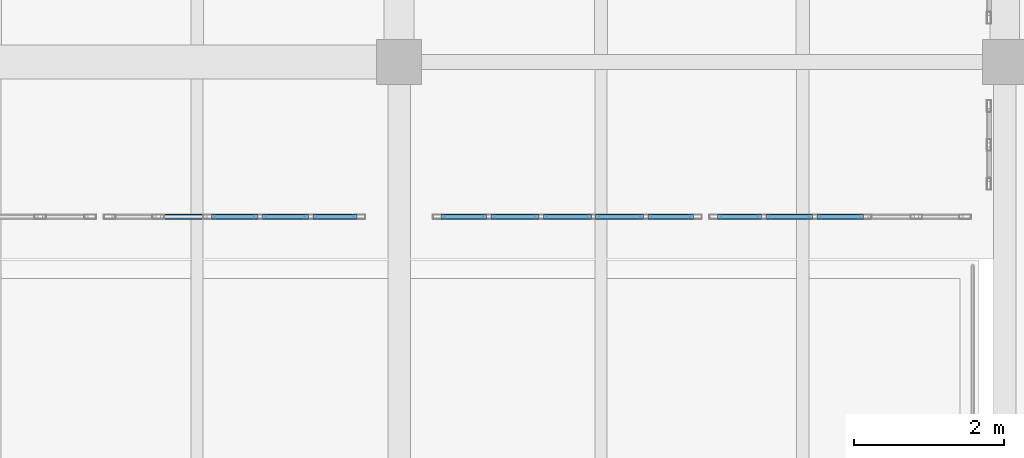
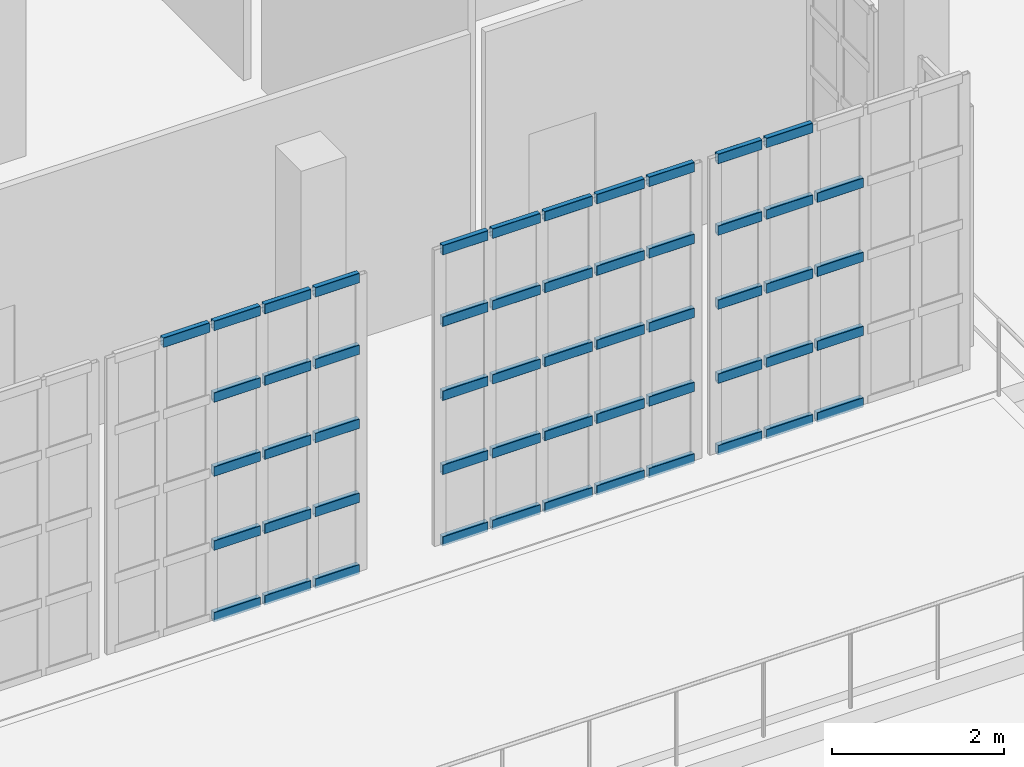
# One storey, part 41 of 73: 55 members, 3 elements without a shape of their own.
"""IFC4 building model written with IfcOpenShell, lengths in metres."""

from ifc_helpers import new_model, si_unit, direction, frame, origin, origin_2d, place, context, subcontext, project, spatial, hollow_rectangle, extrude, material, material_profile, profile_set, type_object, element, aggregate, save


model = new_model("IFC4")

# Units and contexts
model_context = context("Model", 3, precision=1e-05, world=origin(), true_north=direction((0.0, 1.0)))
body_context = subcontext(model_context, "Body", "Model", "MODEL_VIEW")
ifc_project = project(units=[si_unit("LENGTHUNIT", "METRE"), si_unit("AREAUNIT", "SQUARE_METRE"), si_unit("VOLUMEUNIT", "CUBIC_METRE"), si_unit("PLANEANGLEUNIT", "RADIAN"), si_unit("MASSUNIT", "GRAM", prefix="KILO")], contexts=[model_context])

# Site, building, storey
site_placement = place(None, origin())
site = spatial("IfcSite", under=ifc_project, at=site_placement, CompositionType="ELEMENT")
building_placement = place(site_placement, origin())
building = spatial("IfcBuilding", under=site, at=building_placement, Name="Kaelora Sail Theatre", CompositionType="ELEMENT")
storey_placement = place(building_placement, frame((0.0, 0.0, 10.199951171875)))
storey = spatial("IfcBuildingStorey", under=building, at=storey_placement, Name="L02", CompositionType="ELEMENT", Elevation=10.199951171875)

# Curtain wall, members
ifc_material_1 = material(Name="Anodised aluminium and solar-control low-E IGU", Category="aluminium")
curtain_wall_type = type_object("IfcCurtainWallType", Name="ARC-CW-CW-BRG", PredefinedType="NOTDEFINED", material=ifc_material_1)
curtain_wall_1_placement = place(storey_placement, origin())
curtain_wall_1 = element("IfcCurtainWall", 1, at=curtain_wall_1_placement, inside=storey, type_object=curtain_wall_type, Name="Glazed Foyer/Conservatory Curtain Wall FC2-S-L02-05", PredefinedType="NOTDEFINED")
ifc_material_2 = material(Name="Anodised aluminium 6063-T6", Category="aluminium")
ifc_material_profile = material_profile(ifc_material_2, hollow_rectangle(XDim=0.070068359375, YDim=0.139892578125, WallThickness=0.00390625, InnerFilletRadius=0.00390625, OuterFilletRadius=0.008056640625, at=origin_2d()), Name="ALU-TRAN 70x140x4")
ifc_profile_set = profile_set([ifc_material_profile], Name="Anodised aluminium 6063-T6")
member_type = type_object("IfcMemberType", Name="ARC-MEM-TR-140", PredefinedType="USERDEFINED", material=ifc_profile_set)
member_1_placement = place(storey_placement, frame((111.7099609375, 66.389892578125, 4.170166015625), z_axis=(1.0, 0.0, 0.0), x_axis=(0.0, 1.0, 0.0)))
member_1 = element("IfcMember", 2, at=member_1_placement, type_object=member_type, Name="CW-BRG transom 2.5", ObjectType="TRANSOM", PredefinedType="USERDEFINED", context=body_context, shape_type="SweptSolid", body=[
    extrude(hollow_rectangle(XDim=0.070068359375, YDim=0.139892578125, WallThickness=0.00390625, InnerFilletRadius=0.00390625, OuterFilletRadius=0.008056640625, at=origin_2d()), origin(), (0.0, 0.0, 1.0), 0.6201171875),
])
member_2_placement = place(storey_placement, frame((112.389892578125, 66.389892578125, 0.03515625), z_axis=(1.0, 0.0, 0.0), x_axis=(0.0, 1.0, 0.0)))
member_2 = element("IfcMember", 3, at=member_2_placement, type_object=member_type, Name="CW-BRG transom 3.1", ObjectType="TRANSOM", PredefinedType="USERDEFINED", context=body_context, shape_type="SweptSolid", body=[
    extrude(hollow_rectangle(XDim=0.070068359375, YDim=0.139892578125, WallThickness=0.00390625, InnerFilletRadius=0.00390625, OuterFilletRadius=0.008056640625, at=origin_2d()), origin(), (0.0, 0.0, 1.0), 0.6201171875),
])
member_3_placement = place(storey_placement, frame((112.389892578125, 66.389892578125, 1.05126953125), z_axis=(1.0, 0.0, 0.0), x_axis=(0.0, 1.0, 0.0)))
member_3 = element("IfcMember", 4, at=member_3_placement, type_object=member_type, Name="CW-BRG transom 3.2", ObjectType="TRANSOM", PredefinedType="USERDEFINED", context=body_context, shape_type="SweptSolid", body=[
    extrude(hollow_rectangle(XDim=0.070068359375, YDim=0.139892578125, WallThickness=0.00390625, InnerFilletRadius=0.00390625, OuterFilletRadius=0.008056640625, at=origin_2d()), origin(), (0.0, 0.0, 1.0), 0.6201171875),
])
member_4_placement = place(storey_placement, frame((112.389892578125, 66.389892578125, 2.1025390625), z_axis=(1.0, 0.0, 0.0), x_axis=(0.0, 1.0, 0.0)))
member_4 = element("IfcMember", 5, at=member_4_placement, type_object=member_type, Name="CW-BRG transom 3.3", ObjectType="TRANSOM", PredefinedType="USERDEFINED", context=body_context, shape_type="SweptSolid", body=[
    extrude(hollow_rectangle(XDim=0.070068359375, YDim=0.139892578125, WallThickness=0.00390625, InnerFilletRadius=0.00390625, OuterFilletRadius=0.008056640625, at=origin_2d()), origin(), (0.0, 0.0, 1.0), 0.6201171875),
])
member_5_placement = place(storey_placement, frame((112.389892578125, 66.389892578125, 3.15380859375), z_axis=(1.0, 0.0, 0.0), x_axis=(0.0, 1.0, 0.0)))
member_5 = element("IfcMember", 6, at=member_5_placement, type_object=member_type, Name="CW-BRG transom 3.4", ObjectType="TRANSOM", PredefinedType="USERDEFINED", context=body_context, shape_type="SweptSolid", body=[
    extrude(hollow_rectangle(XDim=0.070068359375, YDim=0.139892578125, WallThickness=0.00390625, InnerFilletRadius=0.00390625, OuterFilletRadius=0.008056640625, at=origin_2d()), origin(), (0.0, 0.0, 1.0), 0.6201171875),
])
member_6_placement = place(storey_placement, frame((112.389892578125, 66.389892578125, 4.170166015625), z_axis=(1.0, 0.0, 0.0), x_axis=(0.0, 1.0, 0.0)))
member_6 = element("IfcMember", 7, at=member_6_placement, type_object=member_type, Name="CW-BRG transom 3.5", ObjectType="TRANSOM", PredefinedType="USERDEFINED", context=body_context, shape_type="SweptSolid", body=[
    extrude(hollow_rectangle(XDim=0.070068359375, YDim=0.139892578125, WallThickness=0.00390625, InnerFilletRadius=0.00390625, OuterFilletRadius=0.008056640625, at=origin_2d()), origin(), (0.0, 0.0, 1.0), 0.6201171875),
])
member_7_placement = place(storey_placement, frame((113.070068359375, 66.389892578125, 0.03515625), z_axis=(1.0, 0.0, 0.0), x_axis=(0.0, 1.0, 0.0)))
member_7 = element("IfcMember", 8, at=member_7_placement, type_object=member_type, Name="CW-BRG transom 4.1", ObjectType="TRANSOM", PredefinedType="USERDEFINED", context=body_context, shape_type="SweptSolid", body=[
    extrude(hollow_rectangle(XDim=0.070068359375, YDim=0.139892578125, WallThickness=0.00390625, InnerFilletRadius=0.00390625, OuterFilletRadius=0.008056640625, at=origin_2d()), origin(), (0.0, 0.0, 1.0), 0.619873046875),
])
member_8_placement = place(storey_placement, frame((113.070068359375, 66.389892578125, 1.05126953125), z_axis=(1.0, 0.0, 0.0), x_axis=(0.0, 1.0, 0.0)))
member_8 = element("IfcMember", 9, at=member_8_placement, type_object=member_type, Name="CW-BRG transom 4.2", ObjectType="TRANSOM", PredefinedType="USERDEFINED", context=body_context, shape_type="SweptSolid", body=[
    extrude(hollow_rectangle(XDim=0.070068359375, YDim=0.139892578125, WallThickness=0.00390625, InnerFilletRadius=0.00390625, OuterFilletRadius=0.008056640625, at=origin_2d()), origin(), (0.0, 0.0, 1.0), 0.619873046875),
])
member_9_placement = place(storey_placement, frame((113.070068359375, 66.389892578125, 2.1025390625), z_axis=(1.0, 0.0, 0.0), x_axis=(0.0, 1.0, 0.0)))
member_9 = element("IfcMember", 10, at=member_9_placement, type_object=member_type, Name="CW-BRG transom 4.3", ObjectType="TRANSOM", PredefinedType="USERDEFINED", context=body_context, shape_type="SweptSolid", body=[
    extrude(hollow_rectangle(XDim=0.070068359375, YDim=0.139892578125, WallThickness=0.00390625, InnerFilletRadius=0.00390625, OuterFilletRadius=0.008056640625, at=origin_2d()), origin(), (0.0, 0.0, 1.0), 0.619873046875),
])
member_10_placement = place(storey_placement, frame((113.070068359375, 66.389892578125, 3.15380859375), z_axis=(1.0, 0.0, 0.0), x_axis=(0.0, 1.0, 0.0)))
member_10 = element("IfcMember", 11, at=member_10_placement, type_object=member_type, Name="CW-BRG transom 4.4", ObjectType="TRANSOM", PredefinedType="USERDEFINED", context=body_context, shape_type="SweptSolid", body=[
    extrude(hollow_rectangle(XDim=0.070068359375, YDim=0.139892578125, WallThickness=0.00390625, InnerFilletRadius=0.00390625, OuterFilletRadius=0.008056640625, at=origin_2d()), origin(), (0.0, 0.0, 1.0), 0.619873046875),
])
member_11_placement = place(storey_placement, frame((113.070068359375, 66.389892578125, 4.170166015625), z_axis=(1.0, 0.0, 0.0), x_axis=(0.0, 1.0, 0.0)))
member_11 = element("IfcMember", 12, at=member_11_placement, type_object=member_type, Name="CW-BRG transom 4.5", ObjectType="TRANSOM", PredefinedType="USERDEFINED", context=body_context, shape_type="SweptSolid", body=[
    extrude(hollow_rectangle(XDim=0.070068359375, YDim=0.139892578125, WallThickness=0.00390625, InnerFilletRadius=0.00390625, OuterFilletRadius=0.008056640625, at=origin_2d()), origin(), (0.0, 0.0, 1.0), 0.619873046875),
])
member_12_placement = place(storey_placement, frame((113.75, 66.389892578125, 0.03515625), z_axis=(1.0, 0.0, 0.0), x_axis=(0.0, 1.0, 0.0)))
member_12 = element("IfcMember", 13, at=member_12_placement, type_object=member_type, Name="CW-BRG transom 5.1", ObjectType="TRANSOM", PredefinedType="USERDEFINED", context=body_context, shape_type="SweptSolid", body=[
    extrude(hollow_rectangle(XDim=0.070068359375, YDim=0.139892578125, WallThickness=0.00390625, InnerFilletRadius=0.00390625, OuterFilletRadius=0.008056640625, at=origin_2d()), origin(), (0.0, 0.0, 1.0), 0.590087890625),
])
member_13_placement = place(storey_placement, frame((113.75, 66.389892578125, 1.05126953125), z_axis=(1.0, 0.0, 0.0), x_axis=(0.0, 1.0, 0.0)))
member_13 = element("IfcMember", 14, at=member_13_placement, type_object=member_type, Name="CW-BRG transom 5.2", ObjectType="TRANSOM", PredefinedType="USERDEFINED", context=body_context, shape_type="SweptSolid", body=[
    extrude(hollow_rectangle(XDim=0.070068359375, YDim=0.139892578125, WallThickness=0.00390625, InnerFilletRadius=0.00390625, OuterFilletRadius=0.008056640625, at=origin_2d()), origin(), (0.0, 0.0, 1.0), 0.590087890625),
])
member_14_placement = place(storey_placement, frame((113.75, 66.389892578125, 2.1025390625), z_axis=(1.0, 0.0, 0.0), x_axis=(0.0, 1.0, 0.0)))
member_14 = element("IfcMember", 15, at=member_14_placement, type_object=member_type, Name="CW-BRG transom 5.3", ObjectType="TRANSOM", PredefinedType="USERDEFINED", context=body_context, shape_type="SweptSolid", body=[
    extrude(hollow_rectangle(XDim=0.070068359375, YDim=0.139892578125, WallThickness=0.00390625, InnerFilletRadius=0.00390625, OuterFilletRadius=0.008056640625, at=origin_2d()), origin(), (0.0, 0.0, 1.0), 0.590087890625),
])
member_15_placement = place(storey_placement, frame((113.75, 66.389892578125, 3.15380859375), z_axis=(1.0, 0.0, 0.0), x_axis=(0.0, 1.0, 0.0)))
member_15 = element("IfcMember", 16, at=member_15_placement, type_object=member_type, Name="CW-BRG transom 5.4", ObjectType="TRANSOM", PredefinedType="USERDEFINED", context=body_context, shape_type="SweptSolid", body=[
    extrude(hollow_rectangle(XDim=0.070068359375, YDim=0.139892578125, WallThickness=0.00390625, InnerFilletRadius=0.00390625, OuterFilletRadius=0.008056640625, at=origin_2d()), origin(), (0.0, 0.0, 1.0), 0.590087890625),
])
member_16_placement = place(storey_placement, frame((113.75, 66.389892578125, 4.170166015625), z_axis=(1.0, 0.0, 0.0), x_axis=(0.0, 1.0, 0.0)))
member_16 = element("IfcMember", 17, at=member_16_placement, type_object=member_type, Name="CW-BRG transom 5.5", ObjectType="TRANSOM", PredefinedType="USERDEFINED", context=body_context, shape_type="SweptSolid", body=[
    extrude(hollow_rectangle(XDim=0.070068359375, YDim=0.139892578125, WallThickness=0.00390625, InnerFilletRadius=0.00390625, OuterFilletRadius=0.008056640625, at=origin_2d()), origin(), (0.0, 0.0, 1.0), 0.590087890625),
])
aggregate(curtain_wall_1, [member_1, member_2, member_3, member_4, member_5, member_6, member_7, member_8, member_9, member_10, member_11, member_12, member_13, member_14, member_15, member_16])

curtain_wall_2_placement = place(storey_placement, origin())
curtain_wall_2 = element("IfcCurtainWall", 18, at=curtain_wall_2_placement, inside=storey, type_object=curtain_wall_type, Name="Glazed Foyer/Conservatory Curtain Wall FC2-S-L02-06", PredefinedType="NOTDEFINED")
member_17_placement = place(storey_placement, frame((115.4599609375, 66.389892578125, 0.03515625), z_axis=(1.0, 0.0, 0.0), x_axis=(0.0, 1.0, 0.0)))
member_17 = element("IfcMember", 19, at=member_17_placement, type_object=member_type, Name="CW-BRG transom 1.1", ObjectType="TRANSOM", PredefinedType="USERDEFINED", context=body_context, shape_type="SweptSolid", body=[
    extrude(hollow_rectangle(XDim=0.070068359375, YDim=0.139892578125, WallThickness=0.00390625, InnerFilletRadius=0.00390625, OuterFilletRadius=0.008056640625, at=origin_2d()), origin(), (0.0, 0.0, 1.0), 0.610107421875),
])
member_18_placement = place(storey_placement, frame((115.4599609375, 66.389892578125, 1.05126953125), z_axis=(1.0, 0.0, 0.0), x_axis=(0.0, 1.0, 0.0)))
member_18 = element("IfcMember", 20, at=member_18_placement, type_object=member_type, Name="CW-BRG transom 1.2", ObjectType="TRANSOM", PredefinedType="USERDEFINED", context=body_context, shape_type="SweptSolid", body=[
    extrude(hollow_rectangle(XDim=0.070068359375, YDim=0.139892578125, WallThickness=0.00390625, InnerFilletRadius=0.00390625, OuterFilletRadius=0.008056640625, at=origin_2d()), origin(), (0.0, 0.0, 1.0), 0.610107421875),
])
member_19_placement = place(storey_placement, frame((115.4599609375, 66.389892578125, 2.1025390625), z_axis=(1.0, 0.0, 0.0), x_axis=(0.0, 1.0, 0.0)))
member_19 = element("IfcMember", 21, at=member_19_placement, type_object=member_type, Name="CW-BRG transom 1.3", ObjectType="TRANSOM", PredefinedType="USERDEFINED", context=body_context, shape_type="SweptSolid", body=[
    extrude(hollow_rectangle(XDim=0.070068359375, YDim=0.139892578125, WallThickness=0.00390625, InnerFilletRadius=0.00390625, OuterFilletRadius=0.008056640625, at=origin_2d()), origin(), (0.0, 0.0, 1.0), 0.610107421875),
])
member_20_placement = place(storey_placement, frame((115.4599609375, 66.389892578125, 3.15380859375), z_axis=(1.0, 0.0, 0.0), x_axis=(0.0, 1.0, 0.0)))
member_20 = element("IfcMember", 22, at=member_20_placement, type_object=member_type, Name="CW-BRG transom 1.4", ObjectType="TRANSOM", PredefinedType="USERDEFINED", context=body_context, shape_type="SweptSolid", body=[
    extrude(hollow_rectangle(XDim=0.070068359375, YDim=0.139892578125, WallThickness=0.00390625, InnerFilletRadius=0.00390625, OuterFilletRadius=0.008056640625, at=origin_2d()), origin(), (0.0, 0.0, 1.0), 0.610107421875),
])
member_21_placement = place(storey_placement, frame((115.4599609375, 66.389892578125, 4.170166015625), z_axis=(1.0, 0.0, 0.0), x_axis=(0.0, 1.0, 0.0)))
member_21 = element("IfcMember", 23, at=member_21_placement, type_object=member_type, Name="CW-BRG transom 1.5", ObjectType="TRANSOM", PredefinedType="USERDEFINED", context=body_context, shape_type="SweptSolid", body=[
    extrude(hollow_rectangle(XDim=0.070068359375, YDim=0.139892578125, WallThickness=0.00390625, InnerFilletRadius=0.00390625, OuterFilletRadius=0.008056640625, at=origin_2d()), origin(), (0.0, 0.0, 1.0), 0.610107421875),
])
member_22_placement = place(storey_placement, frame((116.1298828125, 66.389892578125, 0.03515625), z_axis=(1.0, 0.0, 0.0), x_axis=(0.0, 1.0, 0.0)))
member_22 = element("IfcMember", 24, at=member_22_placement, type_object=member_type, Name="CW-BRG transom 2.1", ObjectType="TRANSOM", PredefinedType="USERDEFINED", context=body_context, shape_type="SweptSolid", body=[
    extrude(hollow_rectangle(XDim=0.070068359375, YDim=0.139892578125, WallThickness=0.00390625, InnerFilletRadius=0.00390625, OuterFilletRadius=0.008056640625, at=origin_2d()), origin(), (0.0, 0.0, 1.0), 0.64013671875),
])
member_23_placement = place(storey_placement, frame((116.1298828125, 66.389892578125, 1.05126953125), z_axis=(1.0, 0.0, 0.0), x_axis=(0.0, 1.0, 0.0)))
member_23 = element("IfcMember", 25, at=member_23_placement, type_object=member_type, Name="CW-BRG transom 2.2", ObjectType="TRANSOM", PredefinedType="USERDEFINED", context=body_context, shape_type="SweptSolid", body=[
    extrude(hollow_rectangle(XDim=0.070068359375, YDim=0.139892578125, WallThickness=0.00390625, InnerFilletRadius=0.00390625, OuterFilletRadius=0.008056640625, at=origin_2d()), origin(), (0.0, 0.0, 1.0), 0.64013671875),
])
member_24_placement = place(storey_placement, frame((116.1298828125, 66.389892578125, 2.1025390625), z_axis=(1.0, 0.0, 0.0), x_axis=(0.0, 1.0, 0.0)))
member_24 = element("IfcMember", 26, at=member_24_placement, type_object=member_type, Name="CW-BRG transom 2.3", ObjectType="TRANSOM", PredefinedType="USERDEFINED", context=body_context, shape_type="SweptSolid", body=[
    extrude(hollow_rectangle(XDim=0.070068359375, YDim=0.139892578125, WallThickness=0.00390625, InnerFilletRadius=0.00390625, OuterFilletRadius=0.008056640625, at=origin_2d()), origin(), (0.0, 0.0, 1.0), 0.64013671875),
])
member_25_placement = place(storey_placement, frame((116.1298828125, 66.389892578125, 3.15380859375), z_axis=(1.0, 0.0, 0.0), x_axis=(0.0, 1.0, 0.0)))
member_25 = element("IfcMember", 27, at=member_25_placement, type_object=member_type, Name="CW-BRG transom 2.4", ObjectType="TRANSOM", PredefinedType="USERDEFINED", context=body_context, shape_type="SweptSolid", body=[
    extrude(hollow_rectangle(XDim=0.070068359375, YDim=0.139892578125, WallThickness=0.00390625, InnerFilletRadius=0.00390625, OuterFilletRadius=0.008056640625, at=origin_2d()), origin(), (0.0, 0.0, 1.0), 0.64013671875),
])
member_26_placement = place(storey_placement, frame((116.1298828125, 66.389892578125, 4.170166015625), z_axis=(1.0, 0.0, 0.0), x_axis=(0.0, 1.0, 0.0)))
member_26 = element("IfcMember", 28, at=member_26_placement, type_object=member_type, Name="CW-BRG transom 2.5", ObjectType="TRANSOM", PredefinedType="USERDEFINED", context=body_context, shape_type="SweptSolid", body=[
    extrude(hollow_rectangle(XDim=0.070068359375, YDim=0.139892578125, WallThickness=0.00390625, InnerFilletRadius=0.00390625, OuterFilletRadius=0.008056640625, at=origin_2d()), origin(), (0.0, 0.0, 1.0), 0.64013671875),
])
member_27_placement = place(storey_placement, frame((116.830078125, 66.389892578125, 0.03515625), z_axis=(1.0, 0.0, 0.0), x_axis=(0.0, 1.0, 0.0)))
member_27 = element("IfcMember", 29, at=member_27_placement, type_object=member_type, Name="CW-BRG transom 3.1", ObjectType="TRANSOM", PredefinedType="USERDEFINED", context=body_context, shape_type="SweptSolid", body=[
    extrude(hollow_rectangle(XDim=0.070068359375, YDim=0.139892578125, WallThickness=0.00390625, InnerFilletRadius=0.00390625, OuterFilletRadius=0.008056640625, at=origin_2d()), origin(), (0.0, 0.0, 1.0), 0.639892578125),
])
member_28_placement = place(storey_placement, frame((116.830078125, 66.389892578125, 1.05126953125), z_axis=(1.0, 0.0, 0.0), x_axis=(0.0, 1.0, 0.0)))
member_28 = element("IfcMember", 30, at=member_28_placement, type_object=member_type, Name="CW-BRG transom 3.2", ObjectType="TRANSOM", PredefinedType="USERDEFINED", context=body_context, shape_type="SweptSolid", body=[
    extrude(hollow_rectangle(XDim=0.070068359375, YDim=0.139892578125, WallThickness=0.00390625, InnerFilletRadius=0.00390625, OuterFilletRadius=0.008056640625, at=origin_2d()), origin(), (0.0, 0.0, 1.0), 0.639892578125),
])
member_29_placement = place(storey_placement, frame((116.830078125, 66.389892578125, 2.1025390625), z_axis=(1.0, 0.0, 0.0), x_axis=(0.0, 1.0, 0.0)))
member_29 = element("IfcMember", 31, at=member_29_placement, type_object=member_type, Name="CW-BRG transom 3.3", ObjectType="TRANSOM", PredefinedType="USERDEFINED", context=body_context, shape_type="SweptSolid", body=[
    extrude(hollow_rectangle(XDim=0.070068359375, YDim=0.139892578125, WallThickness=0.00390625, InnerFilletRadius=0.00390625, OuterFilletRadius=0.008056640625, at=origin_2d()), origin(), (0.0, 0.0, 1.0), 0.639892578125),
])
member_30_placement = place(storey_placement, frame((116.830078125, 66.389892578125, 3.15380859375), z_axis=(1.0, 0.0, 0.0), x_axis=(0.0, 1.0, 0.0)))
member_30 = element("IfcMember", 32, at=member_30_placement, type_object=member_type, Name="CW-BRG transom 3.4", ObjectType="TRANSOM", PredefinedType="USERDEFINED", context=body_context, shape_type="SweptSolid", body=[
    extrude(hollow_rectangle(XDim=0.070068359375, YDim=0.139892578125, WallThickness=0.00390625, InnerFilletRadius=0.00390625, OuterFilletRadius=0.008056640625, at=origin_2d()), origin(), (0.0, 0.0, 1.0), 0.639892578125),
])
member_31_placement = place(storey_placement, frame((116.830078125, 66.389892578125, 4.170166015625), z_axis=(1.0, 0.0, 0.0), x_axis=(0.0, 1.0, 0.0)))
member_31 = element("IfcMember", 33, at=member_31_placement, type_object=member_type, Name="CW-BRG transom 3.5", ObjectType="TRANSOM", PredefinedType="USERDEFINED", context=body_context, shape_type="SweptSolid", body=[
    extrude(hollow_rectangle(XDim=0.070068359375, YDim=0.139892578125, WallThickness=0.00390625, InnerFilletRadius=0.00390625, OuterFilletRadius=0.008056640625, at=origin_2d()), origin(), (0.0, 0.0, 1.0), 0.639892578125),
])
member_32_placement = place(storey_placement, frame((117.530029296875, 66.389892578125, 0.03515625), z_axis=(1.0, 0.0, 0.0), x_axis=(0.0, 1.0, 0.0)))
member_32 = element("IfcMember", 34, at=member_32_placement, type_object=member_type, Name="CW-BRG transom 4.1", ObjectType="TRANSOM", PredefinedType="USERDEFINED", context=body_context, shape_type="SweptSolid", body=[
    extrude(hollow_rectangle(XDim=0.070068359375, YDim=0.139892578125, WallThickness=0.00390625, InnerFilletRadius=0.00390625, OuterFilletRadius=0.008056640625, at=origin_2d()), origin(), (0.0, 0.0, 1.0), 0.639892578125),
])
member_33_placement = place(storey_placement, frame((117.530029296875, 66.389892578125, 1.05126953125), z_axis=(1.0, 0.0, 0.0), x_axis=(0.0, 1.0, 0.0)))
member_33 = element("IfcMember", 35, at=member_33_placement, type_object=member_type, Name="CW-BRG transom 4.2", ObjectType="TRANSOM", PredefinedType="USERDEFINED", context=body_context, shape_type="SweptSolid", body=[
    extrude(hollow_rectangle(XDim=0.070068359375, YDim=0.139892578125, WallThickness=0.00390625, InnerFilletRadius=0.00390625, OuterFilletRadius=0.008056640625, at=origin_2d()), origin(), (0.0, 0.0, 1.0), 0.639892578125),
])
member_34_placement = place(storey_placement, frame((117.530029296875, 66.389892578125, 2.1025390625), z_axis=(1.0, 0.0, 0.0), x_axis=(0.0, 1.0, 0.0)))
member_34 = element("IfcMember", 36, at=member_34_placement, type_object=member_type, Name="CW-BRG transom 4.3", ObjectType="TRANSOM", PredefinedType="USERDEFINED", context=body_context, shape_type="SweptSolid", body=[
    extrude(hollow_rectangle(XDim=0.070068359375, YDim=0.139892578125, WallThickness=0.00390625, InnerFilletRadius=0.00390625, OuterFilletRadius=0.008056640625, at=origin_2d()), origin(), (0.0, 0.0, 1.0), 0.639892578125),
])
member_35_placement = place(storey_placement, frame((117.530029296875, 66.389892578125, 3.15380859375), z_axis=(1.0, 0.0, 0.0), x_axis=(0.0, 1.0, 0.0)))
member_35 = element("IfcMember", 37, at=member_35_placement, type_object=member_type, Name="CW-BRG transom 4.4", ObjectType="TRANSOM", PredefinedType="USERDEFINED", context=body_context, shape_type="SweptSolid", body=[
    extrude(hollow_rectangle(XDim=0.070068359375, YDim=0.139892578125, WallThickness=0.00390625, InnerFilletRadius=0.00390625, OuterFilletRadius=0.008056640625, at=origin_2d()), origin(), (0.0, 0.0, 1.0), 0.639892578125),
])
member_36_placement = place(storey_placement, frame((117.530029296875, 66.389892578125, 4.170166015625), z_axis=(1.0, 0.0, 0.0), x_axis=(0.0, 1.0, 0.0)))
member_36 = element("IfcMember", 38, at=member_36_placement, type_object=member_type, Name="CW-BRG transom 4.5", ObjectType="TRANSOM", PredefinedType="USERDEFINED", context=body_context, shape_type="SweptSolid", body=[
    extrude(hollow_rectangle(XDim=0.070068359375, YDim=0.139892578125, WallThickness=0.00390625, InnerFilletRadius=0.00390625, OuterFilletRadius=0.008056640625, at=origin_2d()), origin(), (0.0, 0.0, 1.0), 0.639892578125),
])
member_37_placement = place(storey_placement, frame((118.22998046875, 66.389892578125, 0.03515625), z_axis=(1.0, 0.0, 0.0), x_axis=(0.0, 1.0, 0.0)))
member_37 = element("IfcMember", 39, at=member_37_placement, type_object=member_type, Name="CW-BRG transom 5.1", ObjectType="TRANSOM", PredefinedType="USERDEFINED", context=body_context, shape_type="SweptSolid", body=[
    extrude(hollow_rectangle(XDim=0.070068359375, YDim=0.139892578125, WallThickness=0.00390625, InnerFilletRadius=0.00390625, OuterFilletRadius=0.008056640625, at=origin_2d()), origin(), (0.0, 0.0, 1.0), 0.610107421875),
])
member_38_placement = place(storey_placement, frame((118.22998046875, 66.389892578125, 1.05126953125), z_axis=(1.0, 0.0, 0.0), x_axis=(0.0, 1.0, 0.0)))
member_38 = element("IfcMember", 40, at=member_38_placement, type_object=member_type, Name="CW-BRG transom 5.2", ObjectType="TRANSOM", PredefinedType="USERDEFINED", context=body_context, shape_type="SweptSolid", body=[
    extrude(hollow_rectangle(XDim=0.070068359375, YDim=0.139892578125, WallThickness=0.00390625, InnerFilletRadius=0.00390625, OuterFilletRadius=0.008056640625, at=origin_2d()), origin(), (0.0, 0.0, 1.0), 0.610107421875),
])
member_39_placement = place(storey_placement, frame((118.22998046875, 66.389892578125, 2.1025390625), z_axis=(1.0, 0.0, 0.0), x_axis=(0.0, 1.0, 0.0)))
member_39 = element("IfcMember", 41, at=member_39_placement, type_object=member_type, Name="CW-BRG transom 5.3", ObjectType="TRANSOM", PredefinedType="USERDEFINED", context=body_context, shape_type="SweptSolid", body=[
    extrude(hollow_rectangle(XDim=0.070068359375, YDim=0.139892578125, WallThickness=0.00390625, InnerFilletRadius=0.00390625, OuterFilletRadius=0.008056640625, at=origin_2d()), origin(), (0.0, 0.0, 1.0), 0.610107421875),
])
member_40_placement = place(storey_placement, frame((118.22998046875, 66.389892578125, 3.15380859375), z_axis=(1.0, 0.0, 0.0), x_axis=(0.0, 1.0, 0.0)))
member_40 = element("IfcMember", 42, at=member_40_placement, type_object=member_type, Name="CW-BRG transom 5.4", ObjectType="TRANSOM", PredefinedType="USERDEFINED", context=body_context, shape_type="SweptSolid", body=[
    extrude(hollow_rectangle(XDim=0.070068359375, YDim=0.139892578125, WallThickness=0.00390625, InnerFilletRadius=0.00390625, OuterFilletRadius=0.008056640625, at=origin_2d()), origin(), (0.0, 0.0, 1.0), 0.610107421875),
])
member_41_placement = place(storey_placement, frame((118.22998046875, 66.389892578125, 4.170166015625), z_axis=(1.0, 0.0, 0.0), x_axis=(0.0, 1.0, 0.0)))
member_41 = element("IfcMember", 43, at=member_41_placement, type_object=member_type, Name="CW-BRG transom 5.5", ObjectType="TRANSOM", PredefinedType="USERDEFINED", context=body_context, shape_type="SweptSolid", body=[
    extrude(hollow_rectangle(XDim=0.070068359375, YDim=0.139892578125, WallThickness=0.00390625, InnerFilletRadius=0.00390625, OuterFilletRadius=0.008056640625, at=origin_2d()), origin(), (0.0, 0.0, 1.0), 0.610107421875),
])
aggregate(curtain_wall_2, [member_17, member_18, member_19, member_20, member_21, member_22, member_23, member_24, member_25, member_26, member_27, member_28, member_29, member_30, member_31, member_32, member_33, member_34, member_35, member_36, member_37, member_38, member_39, member_40, member_41])

curtain_wall_3_placement = place(storey_placement, origin())
curtain_wall_3 = element("IfcCurtainWall", 44, at=curtain_wall_3_placement, inside=storey, type_object=curtain_wall_type, Name="Glazed Foyer/Conservatory Curtain Wall FC2-S-L02-07", PredefinedType="NOTDEFINED")
member_42_placement = place(storey_placement, frame((119.159912109375, 66.389892578125, 0.03515625), z_axis=(1.0, 0.0, 0.0), x_axis=(0.0, 1.0, 0.0)))
member_42 = element("IfcMember", 45, at=member_42_placement, type_object=member_type, Name="CW-BRG transom 1.1", ObjectType="TRANSOM", PredefinedType="USERDEFINED", context=body_context, shape_type="SweptSolid", body=[
    extrude(hollow_rectangle(XDim=0.070068359375, YDim=0.139892578125, WallThickness=0.00390625, InnerFilletRadius=0.00390625, OuterFilletRadius=0.008056640625, at=origin_2d()), origin(), (0.0, 0.0, 1.0), 0.590087890625),
])
member_43_placement = place(storey_placement, frame((119.159912109375, 66.389892578125, 1.05126953125), z_axis=(1.0, 0.0, 0.0), x_axis=(0.0, 1.0, 0.0)))
member_43 = element("IfcMember", 46, at=member_43_placement, type_object=member_type, Name="CW-BRG transom 1.2", ObjectType="TRANSOM", PredefinedType="USERDEFINED", context=body_context, shape_type="SweptSolid", body=[
    extrude(hollow_rectangle(XDim=0.070068359375, YDim=0.139892578125, WallThickness=0.00390625, InnerFilletRadius=0.00390625, OuterFilletRadius=0.008056640625, at=origin_2d()), origin(), (0.0, 0.0, 1.0), 0.590087890625),
])
member_44_placement = place(storey_placement, frame((119.159912109375, 66.389892578125, 2.1025390625), z_axis=(1.0, 0.0, 0.0), x_axis=(0.0, 1.0, 0.0)))
member_44 = element("IfcMember", 47, at=member_44_placement, type_object=member_type, Name="CW-BRG transom 1.3", ObjectType="TRANSOM", PredefinedType="USERDEFINED", context=body_context, shape_type="SweptSolid", body=[
    extrude(hollow_rectangle(XDim=0.070068359375, YDim=0.139892578125, WallThickness=0.00390625, InnerFilletRadius=0.00390625, OuterFilletRadius=0.008056640625, at=origin_2d()), origin(), (0.0, 0.0, 1.0), 0.590087890625),
])
member_45_placement = place(storey_placement, frame((119.159912109375, 66.389892578125, 3.15380859375), z_axis=(1.0, 0.0, 0.0), x_axis=(0.0, 1.0, 0.0)))
member_45 = element("IfcMember", 48, at=member_45_placement, type_object=member_type, Name="CW-BRG transom 1.4", ObjectType="TRANSOM", PredefinedType="USERDEFINED", context=body_context, shape_type="SweptSolid", body=[
    extrude(hollow_rectangle(XDim=0.070068359375, YDim=0.139892578125, WallThickness=0.00390625, InnerFilletRadius=0.00390625, OuterFilletRadius=0.008056640625, at=origin_2d()), origin(), (0.0, 0.0, 1.0), 0.590087890625),
])
member_46_placement = place(storey_placement, frame((119.159912109375, 66.389892578125, 4.170166015625), z_axis=(1.0, 0.0, 0.0), x_axis=(0.0, 1.0, 0.0)))
member_46 = element("IfcMember", 49, at=member_46_placement, type_object=member_type, Name="CW-BRG transom 1.5", ObjectType="TRANSOM", PredefinedType="USERDEFINED", context=body_context, shape_type="SweptSolid", body=[
    extrude(hollow_rectangle(XDim=0.070068359375, YDim=0.139892578125, WallThickness=0.00390625, InnerFilletRadius=0.00390625, OuterFilletRadius=0.008056640625, at=origin_2d()), origin(), (0.0, 0.0, 1.0), 0.590087890625),
])
member_47_placement = place(storey_placement, frame((119.81005859375, 66.389892578125, 0.03515625), z_axis=(1.0, 0.0, 0.0), x_axis=(0.0, 1.0, 0.0)))
member_47 = element("IfcMember", 50, at=member_47_placement, type_object=member_type, Name="CW-BRG transom 2.1", ObjectType="TRANSOM", PredefinedType="USERDEFINED", context=body_context, shape_type="SweptSolid", body=[
    extrude(hollow_rectangle(XDim=0.070068359375, YDim=0.139892578125, WallThickness=0.00390625, InnerFilletRadius=0.00390625, OuterFilletRadius=0.008056640625, at=origin_2d()), origin(), (0.0, 0.0, 1.0), 0.619873046875),
])
member_48_placement = place(storey_placement, frame((119.81005859375, 66.389892578125, 1.05126953125), z_axis=(1.0, 0.0, 0.0), x_axis=(0.0, 1.0, 0.0)))
member_48 = element("IfcMember", 51, at=member_48_placement, type_object=member_type, Name="CW-BRG transom 2.2", ObjectType="TRANSOM", PredefinedType="USERDEFINED", context=body_context, shape_type="SweptSolid", body=[
    extrude(hollow_rectangle(XDim=0.070068359375, YDim=0.139892578125, WallThickness=0.00390625, InnerFilletRadius=0.00390625, OuterFilletRadius=0.008056640625, at=origin_2d()), origin(), (0.0, 0.0, 1.0), 0.619873046875),
])
member_49_placement = place(storey_placement, frame((119.81005859375, 66.389892578125, 2.1025390625), z_axis=(1.0, 0.0, 0.0), x_axis=(0.0, 1.0, 0.0)))
member_49 = element("IfcMember", 52, at=member_49_placement, type_object=member_type, Name="CW-BRG transom 2.3", ObjectType="TRANSOM", PredefinedType="USERDEFINED", context=body_context, shape_type="SweptSolid", body=[
    extrude(hollow_rectangle(XDim=0.070068359375, YDim=0.139892578125, WallThickness=0.00390625, InnerFilletRadius=0.00390625, OuterFilletRadius=0.008056640625, at=origin_2d()), origin(), (0.0, 0.0, 1.0), 0.619873046875),
])
member_50_placement = place(storey_placement, frame((119.81005859375, 66.389892578125, 3.15380859375), z_axis=(1.0, 0.0, 0.0), x_axis=(0.0, 1.0, 0.0)))
member_50 = element("IfcMember", 53, at=member_50_placement, type_object=member_type, Name="CW-BRG transom 2.4", ObjectType="TRANSOM", PredefinedType="USERDEFINED", context=body_context, shape_type="SweptSolid", body=[
    extrude(hollow_rectangle(XDim=0.070068359375, YDim=0.139892578125, WallThickness=0.00390625, InnerFilletRadius=0.00390625, OuterFilletRadius=0.008056640625, at=origin_2d()), origin(), (0.0, 0.0, 1.0), 0.619873046875),
])
member_51_placement = place(storey_placement, frame((119.81005859375, 66.389892578125, 4.170166015625), z_axis=(1.0, 0.0, 0.0), x_axis=(0.0, 1.0, 0.0)))
member_51 = element("IfcMember", 54, at=member_51_placement, type_object=member_type, Name="CW-BRG transom 2.5", ObjectType="TRANSOM", PredefinedType="USERDEFINED", context=body_context, shape_type="SweptSolid", body=[
    extrude(hollow_rectangle(XDim=0.070068359375, YDim=0.139892578125, WallThickness=0.00390625, InnerFilletRadius=0.00390625, OuterFilletRadius=0.008056640625, at=origin_2d()), origin(), (0.0, 0.0, 1.0), 0.619873046875),
])
member_52_placement = place(storey_placement, frame((120.489990234375, 66.389892578125, 0.03515625), z_axis=(1.0, 0.0, 0.0), x_axis=(0.0, 1.0, 0.0)))
member_52 = element("IfcMember", 55, at=member_52_placement, type_object=member_type, Name="CW-BRG transom 3.1", ObjectType="TRANSOM", PredefinedType="USERDEFINED", context=body_context, shape_type="SweptSolid", body=[
    extrude(hollow_rectangle(XDim=0.070068359375, YDim=0.139892578125, WallThickness=0.00390625, InnerFilletRadius=0.00390625, OuterFilletRadius=0.008056640625, at=origin_2d()), origin(), (0.0, 0.0, 1.0), 0.6201171875),
])
member_53_placement = place(storey_placement, frame((120.489990234375, 66.389892578125, 1.05126953125), z_axis=(1.0, 0.0, 0.0), x_axis=(0.0, 1.0, 0.0)))
member_53 = element("IfcMember", 56, at=member_53_placement, type_object=member_type, Name="CW-BRG transom 3.2", ObjectType="TRANSOM", PredefinedType="USERDEFINED", context=body_context, shape_type="SweptSolid", body=[
    extrude(hollow_rectangle(XDim=0.070068359375, YDim=0.139892578125, WallThickness=0.00390625, InnerFilletRadius=0.00390625, OuterFilletRadius=0.008056640625, at=origin_2d()), origin(), (0.0, 0.0, 1.0), 0.6201171875),
])
member_54_placement = place(storey_placement, frame((120.489990234375, 66.389892578125, 2.1025390625), z_axis=(1.0, 0.0, 0.0), x_axis=(0.0, 1.0, 0.0)))
member_54 = element("IfcMember", 57, at=member_54_placement, type_object=member_type, Name="CW-BRG transom 3.3", ObjectType="TRANSOM", PredefinedType="USERDEFINED", context=body_context, shape_type="SweptSolid", body=[
    extrude(hollow_rectangle(XDim=0.070068359375, YDim=0.139892578125, WallThickness=0.00390625, InnerFilletRadius=0.00390625, OuterFilletRadius=0.008056640625, at=origin_2d()), origin(), (0.0, 0.0, 1.0), 0.6201171875),
])
member_55_placement = place(storey_placement, frame((120.489990234375, 66.389892578125, 3.15380859375), z_axis=(1.0, 0.0, 0.0), x_axis=(0.0, 1.0, 0.0)))
member_55 = element("IfcMember", 58, at=member_55_placement, type_object=member_type, Name="CW-BRG transom 3.4", ObjectType="TRANSOM", PredefinedType="USERDEFINED", context=body_context, shape_type="SweptSolid", body=[
    extrude(hollow_rectangle(XDim=0.070068359375, YDim=0.139892578125, WallThickness=0.00390625, InnerFilletRadius=0.00390625, OuterFilletRadius=0.008056640625, at=origin_2d()), origin(), (0.0, 0.0, 1.0), 0.6201171875),
])
aggregate(curtain_wall_3, [member_42, member_43, member_44, member_45, member_46, member_47, member_48, member_49, member_50, member_51, member_52, member_53, member_54, member_55])

save(model, "model.ifc")
